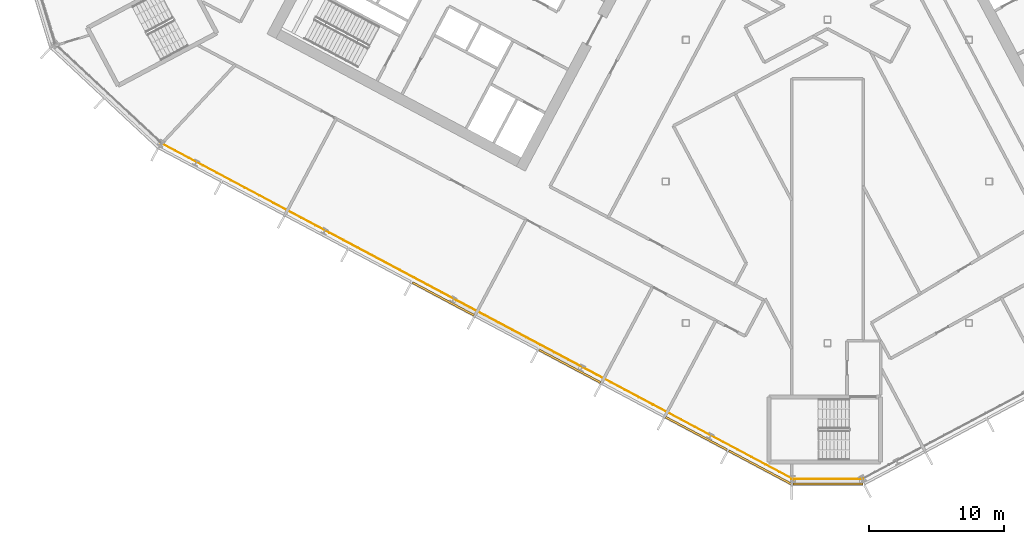
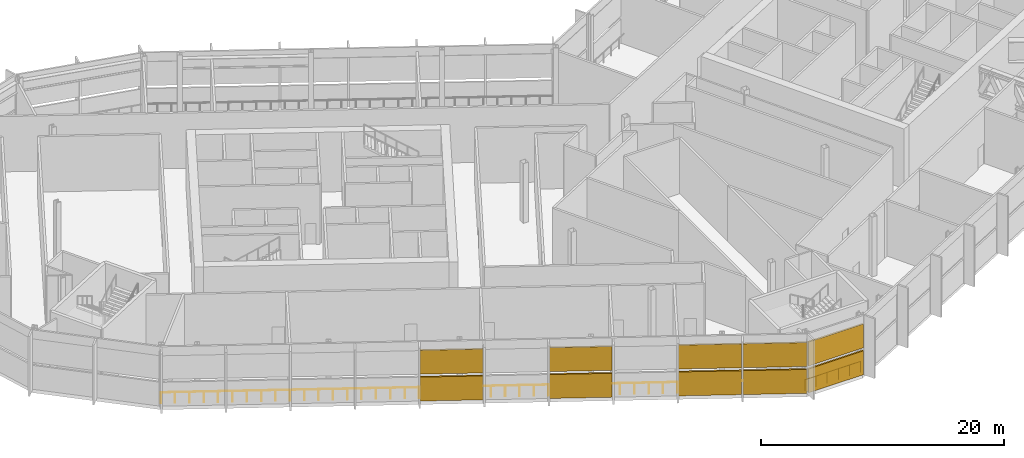
# One storey, part 21 of 33: 10 shading devices, 2 railings, 2 elements without a shape of their own.
"""IFC4 building model written with IfcOpenShell, lengths in metres."""

from ifc_helpers import new_model, si_unit, direction, frame, origin, origin_2d, place, context, subcontext, project, spatial, polyline, rectangle, outline, extrude, material, layer, layer_set, type_object, element, aggregate, save


model = new_model("IFC4")

# Units and contexts
model_context = context("Model", 3, precision=1e-05, world=origin(), true_north=direction((0.0, 1.0)))
body_context = subcontext(model_context, "Body", "Model", "MODEL_VIEW")
ifc_project = project(units=[si_unit("LENGTHUNIT", "METRE"), si_unit("AREAUNIT", "SQUARE_METRE"), si_unit("VOLUMEUNIT", "CUBIC_METRE"), si_unit("PLANEANGLEUNIT", "RADIAN"), si_unit("MASSUNIT", "GRAM", prefix="KILO")], contexts=[model_context])

# Site, building, storey
site_placement = place(None, origin())
site = spatial("IfcSite", under=ifc_project, at=site_placement, CompositionType="ELEMENT")
building_placement = place(site_placement, origin())
building = spatial("IfcBuilding", under=site, at=building_placement, Name="Cormorant Relay Tower", CompositionType="ELEMENT")
storey_placement = place(building_placement, frame((0.0, 0.0, 183.60009765625)))
storey = spatial("IfcBuildingStorey", under=building, at=storey_placement, Name="L39", CompositionType="ELEMENT", Elevation=183.60009765625)

# Railings
ifc_material_1 = material(Name="Stainless steel 316 guard", Category="steel")
railing_type = type_object("IfcRailingType", Name="Band louvre guard 1100", PredefinedType="GUARDRAIL", material=ifc_material_1)
railing_1_placement = place(storey_placement, frame((-2.648681640625, -22.07568359375, 0.0)))
element("IfcRailing", 1, at=railing_1_placement, inside=storey, type_object=railing_type, Name="CW4 guard 1", PredefinedType="GUARDRAIL", context=body_context, shape_type="SweptSolid", body=[
    extrude(outline(polyline([(0.022216796875, 0.00927734375), (0.00927734375, 0.022216796875), (-0.00927734375, 0.022216796875), (-0.022216796875, 0.00927734375), (-0.022216796875, -0.00927734375), (-0.00927734375, -0.022216796875), (0.00927734375, -0.022216796875), (0.022216796875, -0.00927734375), (0.022216796875, 0.00927734375)])), frame((0.0, 0.0, 1.076171875), z_axis=(1.0, 0.0, 0.0), x_axis=(0.0, 1.0, 0.0)), (0.0, 0.0, 1.0), 5.29736328125),
    extrude(outline(polyline([(0.019287109375, 0.008056640625), (0.008056640625, 0.019287109375), (-0.008056640625, 0.019287109375), (-0.019287109375, 0.008056640625), (-0.019287109375, -0.008056640625), (-0.008056640625, -0.019287109375), (0.008056640625, -0.019287109375), (0.019287109375, -0.008056640625), (0.019287109375, 0.008056640625)])), origin(), (0.0, 0.0, 1.0), 1.052001953125),
    extrude(outline(polyline([(0.019287109375, 0.008056640625), (0.008056640625, 0.019287109375), (-0.008056640625, 0.019287109375), (-0.019287109375, 0.008056640625), (-0.019287109375, -0.008056640625), (-0.008056640625, -0.019287109375), (0.008056640625, -0.019287109375), (0.019287109375, -0.008056640625), (0.019287109375, 0.008056640625)])), frame((1.0595703125, 0.0, 0.0)), (0.0, 0.0, 1.0), 1.052001953125),
    extrude(outline(polyline([(0.019287109375, 0.008056640625), (0.008056640625, 0.019287109375), (-0.008056640625, 0.019287109375), (-0.019287109375, 0.008056640625), (-0.019287109375, -0.008056640625), (-0.008056640625, -0.019287109375), (0.008056640625, -0.019287109375), (0.019287109375, -0.008056640625), (0.019287109375, 0.008056640625)])), frame((2.118896484375, 0.0, 0.0)), (0.0, 0.0, 1.0), 1.052001953125),
    extrude(outline(polyline([(0.019287109375, 0.008056640625), (0.008056640625, 0.019287109375), (-0.008056640625, 0.019287109375), (-0.019287109375, 0.008056640625), (-0.019287109375, -0.008056640625), (-0.008056640625, -0.019287109375), (0.008056640625, -0.019287109375), (0.019287109375, -0.008056640625), (0.019287109375, 0.008056640625)])), frame((3.178466796875, 0.0, 0.0)), (0.0, 0.0, 1.0), 1.052001953125),
    extrude(outline(polyline([(0.019287109375, 0.008056640625), (0.008056640625, 0.019287109375), (-0.008056640625, 0.019287109375), (-0.019287109375, 0.008056640625), (-0.019287109375, -0.008056640625), (-0.008056640625, -0.019287109375), (0.008056640625, -0.019287109375), (0.019287109375, -0.008056640625), (0.019287109375, 0.008056640625)])), frame((4.23779296875, 0.0, 0.0)), (0.0, 0.0, 1.0), 1.052001953125),
    extrude(outline(polyline([(0.019287109375, 0.008056640625), (0.008056640625, 0.019287109375), (-0.008056640625, 0.019287109375), (-0.019287109375, 0.008056640625), (-0.019287109375, -0.008056640625), (-0.008056640625, -0.019287109375), (0.008056640625, -0.019287109375), (0.019287109375, -0.008056640625), (0.019287109375, 0.008056640625)])), frame((5.29736328125, 0.0, 0.0)), (0.0, 0.0, 1.0), 1.052001953125),
])
railing_2_placement = place(storey_placement, frame((-49.45068359375, 2.84912109375, 0.0)))
element("IfcRailing", 2, at=railing_2_placement, inside=storey, type_object=railing_type, Name="CW4 guard 16", PredefinedType="GUARDRAIL", context=body_context, shape_type="SweptSolid", body=[
    extrude(outline(polyline([(0.022216796875, 0.00927734375), (0.00927734375, 0.022216796875), (-0.00927734375, 0.022216796875), (-0.022216796875, 0.00927734375), (-0.022216796875, -0.00927734375), (-0.00927734375, -0.022216796875), (0.00927734375, -0.022216796875), (0.022216796875, -0.00927734375), (0.022216796875, 0.00927734375)])), frame((0.0, 0.0, 1.076171875), z_axis=(0.88294853393, -0.469469792884, 0.0), x_axis=(0.469469792884, 0.88294853393, 0.0)), (0.0, 0.0, 1.0), 53.165771484375),
    extrude(outline(polyline([(0.019287109375, 0.008056640625), (0.008056640625, 0.019287109375), (-0.008056640625, 0.019287109375), (-0.019287109375, 0.008056640625), (-0.019287109375, -0.008056640625), (-0.008056640625, -0.019287109375), (0.008056640625, -0.019287109375), (0.019287109375, -0.008056640625), (0.019287109375, 0.008056640625)])), origin(), (0.0, 0.0, 1.0), 1.052001953125),
    extrude(outline(polyline([(0.019287109375, 0.008056640625), (0.008056640625, 0.019287109375), (-0.008056640625, 0.019287109375), (-0.019287109375, 0.008056640625), (-0.019287109375, -0.008056640625), (-0.008056640625, -0.019287109375), (0.008056640625, -0.019287109375), (0.019287109375, -0.008056640625), (0.019287109375, 0.008056640625)])), frame((1.043212890625, -0.5546875, 0.0)), (0.0, 0.0, 1.0), 1.052001953125),
    extrude(outline(polyline([(0.019287109375, 0.008056640625), (0.008056640625, 0.019287109375), (-0.008056640625, 0.019287109375), (-0.019287109375, 0.008056640625), (-0.019287109375, -0.008056640625), (-0.008056640625, -0.019287109375), (0.008056640625, -0.019287109375), (0.019287109375, -0.008056640625), (0.019287109375, 0.008056640625)])), frame((2.08642578125, -1.109375, 0.0)), (0.0, 0.0, 1.0), 1.052001953125),
    extrude(outline(polyline([(0.019287109375, 0.008056640625), (0.008056640625, 0.019287109375), (-0.008056640625, 0.019287109375), (-0.019287109375, 0.008056640625), (-0.019287109375, -0.008056640625), (-0.008056640625, -0.019287109375), (0.008056640625, -0.019287109375), (0.019287109375, -0.008056640625), (0.019287109375, 0.008056640625)])), frame((3.12939453125, -1.6640625, 0.0)), (0.0, 0.0, 1.0), 1.052001953125),
    extrude(outline(polyline([(0.019287109375, 0.008056640625), (0.008056640625, 0.019287109375), (-0.008056640625, 0.019287109375), (-0.019287109375, 0.008056640625), (-0.019287109375, -0.008056640625), (-0.008056640625, -0.019287109375), (0.008056640625, -0.019287109375), (0.019287109375, -0.008056640625), (0.019287109375, 0.008056640625)])), frame((4.172607421875, -2.21875, 0.0)), (0.0, 0.0, 1.0), 1.052001953125),
    extrude(outline(polyline([(0.019287109375, 0.008056640625), (0.008056640625, 0.019287109375), (-0.008056640625, 0.019287109375), (-0.019287109375, 0.008056640625), (-0.019287109375, -0.008056640625), (-0.008056640625, -0.019287109375), (0.008056640625, -0.019287109375), (0.019287109375, -0.008056640625), (0.019287109375, 0.008056640625)])), frame((5.2158203125, -2.773193359375, 0.0)), (0.0, 0.0, 1.0), 1.052001953125),
    extrude(outline(polyline([(0.019287109375, 0.008056640625), (0.008056640625, 0.019287109375), (-0.008056640625, 0.019287109375), (-0.019287109375, 0.008056640625), (-0.019287109375, -0.008056640625), (-0.008056640625, -0.019287109375), (0.008056640625, -0.019287109375), (0.019287109375, -0.008056640625), (0.019287109375, 0.008056640625)])), frame((6.259033203125, -3.327880859375, 0.0)), (0.0, 0.0, 1.0), 1.052001953125),
    extrude(outline(polyline([(0.019287109375, 0.008056640625), (0.008056640625, 0.019287109375), (-0.008056640625, 0.019287109375), (-0.019287109375, 0.008056640625), (-0.019287109375, -0.008056640625), (-0.008056640625, -0.019287109375), (0.008056640625, -0.019287109375), (0.019287109375, -0.008056640625), (0.019287109375, 0.008056640625)])), frame((7.30224609375, -3.882568359375, 0.0)), (0.0, 0.0, 1.0), 1.052001953125),
    extrude(outline(polyline([(0.019287109375, 0.008056640625), (0.008056640625, 0.019287109375), (-0.008056640625, 0.019287109375), (-0.019287109375, 0.008056640625), (-0.019287109375, -0.008056640625), (-0.008056640625, -0.019287109375), (0.008056640625, -0.019287109375), (0.019287109375, -0.008056640625), (0.019287109375, 0.008056640625)])), frame((8.345458984375, -4.437255859375, 0.0)), (0.0, 0.0, 1.0), 1.052001953125),
    extrude(outline(polyline([(0.019287109375, 0.008056640625), (0.008056640625, 0.019287109375), (-0.008056640625, 0.019287109375), (-0.019287109375, 0.008056640625), (-0.019287109375, -0.008056640625), (-0.008056640625, -0.019287109375), (0.008056640625, -0.019287109375), (0.019287109375, -0.008056640625), (0.019287109375, 0.008056640625)])), frame((9.388427734375, -4.991943359375, 0.0)), (0.0, 0.0, 1.0), 1.052001953125),
    extrude(outline(polyline([(0.019287109375, 0.008056640625), (0.008056640625, 0.019287109375), (-0.008056640625, 0.019287109375), (-0.019287109375, 0.008056640625), (-0.019287109375, -0.008056640625), (-0.008056640625, -0.019287109375), (0.008056640625, -0.019287109375), (0.019287109375, -0.008056640625), (0.019287109375, 0.008056640625)])), frame((10.431640625, -5.546630859375, 0.0)), (0.0, 0.0, 1.0), 1.052001953125),
    extrude(outline(polyline([(0.019287109375, 0.008056640625), (0.008056640625, 0.019287109375), (-0.008056640625, 0.019287109375), (-0.019287109375, 0.008056640625), (-0.019287109375, -0.008056640625), (-0.008056640625, -0.019287109375), (0.008056640625, -0.019287109375), (0.019287109375, -0.008056640625), (0.019287109375, 0.008056640625)])), frame((11.474853515625, -6.101318359375, 0.0)), (0.0, 0.0, 1.0), 1.052001953125),
    extrude(outline(polyline([(0.019287109375, 0.008056640625), (0.008056640625, 0.019287109375), (-0.008056640625, 0.019287109375), (-0.019287109375, 0.008056640625), (-0.019287109375, -0.008056640625), (-0.008056640625, -0.019287109375), (0.008056640625, -0.019287109375), (0.019287109375, -0.008056640625), (0.019287109375, 0.008056640625)])), frame((12.51806640625, -6.656005859375, 0.0)), (0.0, 0.0, 1.0), 1.052001953125),
    extrude(outline(polyline([(0.019287109375, 0.008056640625), (0.008056640625, 0.019287109375), (-0.008056640625, 0.019287109375), (-0.019287109375, 0.008056640625), (-0.019287109375, -0.008056640625), (-0.008056640625, -0.019287109375), (0.008056640625, -0.019287109375), (0.019287109375, -0.008056640625), (0.019287109375, 0.008056640625)])), frame((13.561279296875, -7.210693359375, 0.0)), (0.0, 0.0, 1.0), 1.052001953125),
    extrude(outline(polyline([(0.019287109375, 0.008056640625), (0.008056640625, 0.019287109375), (-0.008056640625, 0.019287109375), (-0.019287109375, 0.008056640625), (-0.019287109375, -0.008056640625), (-0.008056640625, -0.019287109375), (0.008056640625, -0.019287109375), (0.019287109375, -0.008056640625), (0.019287109375, 0.008056640625)])), frame((14.6044921875, -7.76513671875, 0.0)), (0.0, 0.0, 1.0), 1.052001953125),
    extrude(outline(polyline([(0.019287109375, 0.008056640625), (0.008056640625, 0.019287109375), (-0.008056640625, 0.019287109375), (-0.019287109375, 0.008056640625), (-0.019287109375, -0.008056640625), (-0.008056640625, -0.019287109375), (0.008056640625, -0.019287109375), (0.019287109375, -0.008056640625), (0.019287109375, 0.008056640625)])), frame((15.6474609375, -8.31982421875, 0.0)), (0.0, 0.0, 1.0), 1.052001953125),
    extrude(outline(polyline([(0.019287109375, 0.008056640625), (0.008056640625, 0.019287109375), (-0.008056640625, 0.019287109375), (-0.019287109375, 0.008056640625), (-0.019287109375, -0.008056640625), (-0.008056640625, -0.019287109375), (0.008056640625, -0.019287109375), (0.019287109375, -0.008056640625), (0.019287109375, 0.008056640625)])), frame((16.690673828125, -8.87451171875, 0.0)), (0.0, 0.0, 1.0), 1.052001953125),
    extrude(outline(polyline([(0.019287109375, 0.008056640625), (0.008056640625, 0.019287109375), (-0.008056640625, 0.019287109375), (-0.019287109375, 0.008056640625), (-0.019287109375, -0.008056640625), (-0.008056640625, -0.019287109375), (0.008056640625, -0.019287109375), (0.019287109375, -0.008056640625), (0.019287109375, 0.008056640625)])), frame((17.73388671875, -9.42919921875, 0.0)), (0.0, 0.0, 1.0), 1.052001953125),
    extrude(outline(polyline([(0.019287109375, 0.008056640625), (0.008056640625, 0.019287109375), (-0.008056640625, 0.019287109375), (-0.019287109375, 0.008056640625), (-0.019287109375, -0.008056640625), (-0.008056640625, -0.019287109375), (0.008056640625, -0.019287109375), (0.019287109375, -0.008056640625), (0.019287109375, 0.008056640625)])), frame((18.777099609375, -9.98388671875, 0.0)), (0.0, 0.0, 1.0), 1.052001953125),
    extrude(outline(polyline([(0.019287109375, 0.008056640625), (0.008056640625, 0.019287109375), (-0.008056640625, 0.019287109375), (-0.019287109375, 0.008056640625), (-0.019287109375, -0.008056640625), (-0.008056640625, -0.019287109375), (0.008056640625, -0.019287109375), (0.019287109375, -0.008056640625), (0.019287109375, 0.008056640625)])), frame((19.8203125, -10.53857421875, 0.0)), (0.0, 0.0, 1.0), 1.052001953125),
    extrude(outline(polyline([(0.019287109375, 0.008056640625), (0.008056640625, 0.019287109375), (-0.008056640625, 0.019287109375), (-0.019287109375, 0.008056640625), (-0.019287109375, -0.008056640625), (-0.008056640625, -0.019287109375), (0.008056640625, -0.019287109375), (0.019287109375, -0.008056640625), (0.019287109375, 0.008056640625)])), frame((20.86328125, -11.09326171875, 0.0)), (0.0, 0.0, 1.0), 1.052001953125),
    extrude(outline(polyline([(0.019287109375, 0.008056640625), (0.008056640625, 0.019287109375), (-0.008056640625, 0.019287109375), (-0.019287109375, 0.008056640625), (-0.019287109375, -0.008056640625), (-0.008056640625, -0.019287109375), (0.008056640625, -0.019287109375), (0.019287109375, -0.008056640625), (0.019287109375, 0.008056640625)])), frame((21.906494140625, -11.64794921875, 0.0)), (0.0, 0.0, 1.0), 1.052001953125),
    extrude(outline(polyline([(0.019287109375, 0.008056640625), (0.008056640625, 0.019287109375), (-0.008056640625, 0.019287109375), (-0.019287109375, 0.008056640625), (-0.019287109375, -0.008056640625), (-0.008056640625, -0.019287109375), (0.008056640625, -0.019287109375), (0.019287109375, -0.008056640625), (0.019287109375, 0.008056640625)])), frame((22.94970703125, -12.20263671875, 0.0)), (0.0, 0.0, 1.0), 1.052001953125),
    extrude(outline(polyline([(0.019287109375, 0.008056640625), (0.008056640625, 0.019287109375), (-0.008056640625, 0.019287109375), (-0.019287109375, 0.008056640625), (-0.019287109375, -0.008056640625), (-0.008056640625, -0.019287109375), (0.008056640625, -0.019287109375), (0.019287109375, -0.008056640625), (0.019287109375, 0.008056640625)])), frame((23.992919921875, -12.757080078125, 0.0)), (0.0, 0.0, 1.0), 1.052001953125),
    extrude(outline(polyline([(0.019287109375, 0.008056640625), (0.008056640625, 0.019287109375), (-0.008056640625, 0.019287109375), (-0.019287109375, 0.008056640625), (-0.019287109375, -0.008056640625), (-0.008056640625, -0.019287109375), (0.008056640625, -0.019287109375), (0.019287109375, -0.008056640625), (0.019287109375, 0.008056640625)])), frame((25.0361328125, -13.311767578125, 0.0)), (0.0, 0.0, 1.0), 1.052001953125),
    extrude(outline(polyline([(0.019287109375, 0.008056640625), (0.008056640625, 0.019287109375), (-0.008056640625, 0.019287109375), (-0.019287109375, 0.008056640625), (-0.019287109375, -0.008056640625), (-0.008056640625, -0.019287109375), (0.008056640625, -0.019287109375), (0.019287109375, -0.008056640625), (0.019287109375, 0.008056640625)])), frame((26.079345703125, -13.866455078125, 0.0)), (0.0, 0.0, 1.0), 1.052001953125),
    extrude(outline(polyline([(0.019287109375, 0.008056640625), (0.008056640625, 0.019287109375), (-0.008056640625, 0.019287109375), (-0.019287109375, 0.008056640625), (-0.019287109375, -0.008056640625), (-0.008056640625, -0.019287109375), (0.008056640625, -0.019287109375), (0.019287109375, -0.008056640625), (0.019287109375, 0.008056640625)])), frame((27.122314453125, -14.421142578125, 0.0)), (0.0, 0.0, 1.0), 1.052001953125),
    extrude(outline(polyline([(0.019287109375, 0.008056640625), (0.008056640625, 0.019287109375), (-0.008056640625, 0.019287109375), (-0.019287109375, 0.008056640625), (-0.019287109375, -0.008056640625), (-0.008056640625, -0.019287109375), (0.008056640625, -0.019287109375), (0.019287109375, -0.008056640625), (0.019287109375, 0.008056640625)])), frame((28.16552734375, -14.975830078125, 0.0)), (0.0, 0.0, 1.0), 1.052001953125),
    extrude(outline(polyline([(0.019287109375, 0.008056640625), (0.008056640625, 0.019287109375), (-0.008056640625, 0.019287109375), (-0.019287109375, 0.008056640625), (-0.019287109375, -0.008056640625), (-0.008056640625, -0.019287109375), (0.008056640625, -0.019287109375), (0.019287109375, -0.008056640625), (0.019287109375, 0.008056640625)])), frame((29.208740234375, -15.530517578125, 0.0)), (0.0, 0.0, 1.0), 1.052001953125),
    extrude(outline(polyline([(0.019287109375, 0.008056640625), (0.008056640625, 0.019287109375), (-0.008056640625, 0.019287109375), (-0.019287109375, 0.008056640625), (-0.019287109375, -0.008056640625), (-0.008056640625, -0.019287109375), (0.008056640625, -0.019287109375), (0.019287109375, -0.008056640625), (0.019287109375, 0.008056640625)])), frame((30.251953125, -16.085205078125, 0.0)), (0.0, 0.0, 1.0), 1.052001953125),
    extrude(outline(polyline([(0.019287109375, 0.008056640625), (0.008056640625, 0.019287109375), (-0.008056640625, 0.019287109375), (-0.019287109375, 0.008056640625), (-0.019287109375, -0.008056640625), (-0.008056640625, -0.019287109375), (0.008056640625, -0.019287109375), (0.019287109375, -0.008056640625), (0.019287109375, 0.008056640625)])), frame((31.295166015625, -16.639892578125, 0.0)), (0.0, 0.0, 1.0), 1.052001953125),
    extrude(outline(polyline([(0.019287109375, 0.008056640625), (0.008056640625, 0.019287109375), (-0.008056640625, 0.019287109375), (-0.019287109375, 0.008056640625), (-0.019287109375, -0.008056640625), (-0.008056640625, -0.019287109375), (0.008056640625, -0.019287109375), (0.019287109375, -0.008056640625), (0.019287109375, 0.008056640625)])), frame((32.338134765625, -17.194580078125, 0.0)), (0.0, 0.0, 1.0), 1.052001953125),
    extrude(outline(polyline([(0.019287109375, 0.008056640625), (0.008056640625, 0.019287109375), (-0.008056640625, 0.019287109375), (-0.019287109375, 0.008056640625), (-0.019287109375, -0.008056640625), (-0.008056640625, -0.019287109375), (0.008056640625, -0.019287109375), (0.019287109375, -0.008056640625), (0.019287109375, 0.008056640625)])), frame((33.38134765625, -17.7490234375, 0.0)), (0.0, 0.0, 1.0), 1.052001953125),
    extrude(outline(polyline([(0.019287109375, 0.008056640625), (0.008056640625, 0.019287109375), (-0.008056640625, 0.019287109375), (-0.019287109375, 0.008056640625), (-0.019287109375, -0.008056640625), (-0.008056640625, -0.019287109375), (0.008056640625, -0.019287109375), (0.019287109375, -0.008056640625), (0.019287109375, 0.008056640625)])), frame((34.424560546875, -18.3037109375, 0.0)), (0.0, 0.0, 1.0), 1.052001953125),
    extrude(outline(polyline([(0.019287109375, 0.008056640625), (0.008056640625, 0.019287109375), (-0.008056640625, 0.019287109375), (-0.019287109375, 0.008056640625), (-0.019287109375, -0.008056640625), (-0.008056640625, -0.019287109375), (0.008056640625, -0.019287109375), (0.019287109375, -0.008056640625), (0.019287109375, 0.008056640625)])), frame((35.4677734375, -18.8583984375, 0.0)), (0.0, 0.0, 1.0), 1.052001953125),
    extrude(outline(polyline([(0.019287109375, 0.008056640625), (0.008056640625, 0.019287109375), (-0.008056640625, 0.019287109375), (-0.019287109375, 0.008056640625), (-0.019287109375, -0.008056640625), (-0.008056640625, -0.019287109375), (0.008056640625, -0.019287109375), (0.019287109375, -0.008056640625), (0.019287109375, 0.008056640625)])), frame((36.510986328125, -19.4130859375, 0.0)), (0.0, 0.0, 1.0), 1.052001953125),
    extrude(outline(polyline([(0.019287109375, 0.008056640625), (0.008056640625, 0.019287109375), (-0.008056640625, 0.019287109375), (-0.019287109375, 0.008056640625), (-0.019287109375, -0.008056640625), (-0.008056640625, -0.019287109375), (0.008056640625, -0.019287109375), (0.019287109375, -0.008056640625), (0.019287109375, 0.008056640625)])), frame((37.55419921875, -19.9677734375, 0.0)), (0.0, 0.0, 1.0), 1.052001953125),
    extrude(outline(polyline([(0.019287109375, 0.008056640625), (0.008056640625, 0.019287109375), (-0.008056640625, 0.019287109375), (-0.019287109375, 0.008056640625), (-0.019287109375, -0.008056640625), (-0.008056640625, -0.019287109375), (0.008056640625, -0.019287109375), (0.019287109375, -0.008056640625), (0.019287109375, 0.008056640625)])), frame((38.59716796875, -20.5224609375, 0.0)), (0.0, 0.0, 1.0), 1.052001953125),
    extrude(outline(polyline([(0.019287109375, 0.008056640625), (0.008056640625, 0.019287109375), (-0.008056640625, 0.019287109375), (-0.019287109375, 0.008056640625), (-0.019287109375, -0.008056640625), (-0.008056640625, -0.019287109375), (0.008056640625, -0.019287109375), (0.019287109375, -0.008056640625), (0.019287109375, 0.008056640625)])), frame((39.640380859375, -21.0771484375, 0.0)), (0.0, 0.0, 1.0), 1.052001953125),
    extrude(outline(polyline([(0.019287109375, 0.008056640625), (0.008056640625, 0.019287109375), (-0.008056640625, 0.019287109375), (-0.019287109375, 0.008056640625), (-0.019287109375, -0.008056640625), (-0.008056640625, -0.019287109375), (0.008056640625, -0.019287109375), (0.019287109375, -0.008056640625), (0.019287109375, 0.008056640625)])), frame((40.68359375, -21.6318359375, 0.0)), (0.0, 0.0, 1.0), 1.052001953125),
    extrude(outline(polyline([(0.019287109375, 0.008056640625), (0.008056640625, 0.019287109375), (-0.008056640625, 0.019287109375), (-0.019287109375, 0.008056640625), (-0.019287109375, -0.008056640625), (-0.008056640625, -0.019287109375), (0.008056640625, -0.019287109375), (0.019287109375, -0.008056640625), (0.019287109375, 0.008056640625)])), frame((41.726806640625, -22.1865234375, 0.0)), (0.0, 0.0, 1.0), 1.052001953125),
    extrude(outline(polyline([(0.019287109375, 0.008056640625), (0.008056640625, 0.019287109375), (-0.008056640625, 0.019287109375), (-0.019287109375, 0.008056640625), (-0.019287109375, -0.008056640625), (-0.008056640625, -0.019287109375), (0.008056640625, -0.019287109375), (0.019287109375, -0.008056640625), (0.019287109375, 0.008056640625)])), frame((42.77001953125, -22.740966796875, 0.0)), (0.0, 0.0, 1.0), 1.052001953125),
    extrude(outline(polyline([(0.019287109375, 0.008056640625), (0.008056640625, 0.019287109375), (-0.008056640625, 0.019287109375), (-0.019287109375, 0.008056640625), (-0.019287109375, -0.008056640625), (-0.008056640625, -0.019287109375), (0.008056640625, -0.019287109375), (0.019287109375, -0.008056640625), (0.019287109375, 0.008056640625)])), frame((43.813232421875, -23.295654296875, 0.0)), (0.0, 0.0, 1.0), 1.052001953125),
    extrude(outline(polyline([(0.019287109375, 0.008056640625), (0.008056640625, 0.019287109375), (-0.008056640625, 0.019287109375), (-0.019287109375, 0.008056640625), (-0.019287109375, -0.008056640625), (-0.008056640625, -0.019287109375), (0.008056640625, -0.019287109375), (0.019287109375, -0.008056640625), (0.019287109375, 0.008056640625)])), frame((44.856201171875, -23.850341796875, 0.0)), (0.0, 0.0, 1.0), 1.052001953125),
    extrude(outline(polyline([(0.019287109375, 0.008056640625), (0.008056640625, 0.019287109375), (-0.008056640625, 0.019287109375), (-0.019287109375, 0.008056640625), (-0.019287109375, -0.008056640625), (-0.008056640625, -0.019287109375), (0.008056640625, -0.019287109375), (0.019287109375, -0.008056640625), (0.019287109375, 0.008056640625)])), frame((45.8994140625, -24.405029296875, 0.0)), (0.0, 0.0, 1.0), 1.052001953125),
    extrude(outline(polyline([(0.019287109375, 0.008056640625), (0.008056640625, 0.019287109375), (-0.008056640625, 0.019287109375), (-0.019287109375, 0.008056640625), (-0.019287109375, -0.008056640625), (-0.008056640625, -0.019287109375), (0.008056640625, -0.019287109375), (0.019287109375, -0.008056640625), (0.019287109375, 0.008056640625)])), frame((46.942626953125, -24.959716796875, 0.0)), (0.0, 0.0, 1.0), 1.052001953125),
])

# Curtain wall, shading devices
ifc_material_2 = material(Name="Aluminium 6063-T6 anodised bronze", Category="aluminium")
ifc_layer = layer(ifc_material_2, 0.199951171875)
ifc_layer_set = layer_set([ifc_layer], Name="CW4 band louvre wall")
curtain_wall_type = type_object("IfcCurtainWallType", Name="CW4 band louvre wall", PredefinedType="NOTDEFINED", material=ifc_layer_set)
curtain_wall_1_placement = place(storey_placement, origin())
curtain_wall_1 = element("IfcCurtainWall", 3, at=curtain_wall_1_placement, inside=storey, type_object=curtain_wall_type, Name="CW4 curtain wall 1", PredefinedType="NOTDEFINED")
ifc_material_3 = material(Name="Aluminium 6063-T6 anodised bronze louvre", Category="aluminium")
shading_device_type = type_object("IfcShadingDeviceType", Name="CW4 bronze louvre bank 150 x 2400", PredefinedType="USERDEFINED", material=ifc_material_3)
shading_device_1_placement = place(storey_placement, frame((0.03759765625, -22.45068359375, 2.699951171875), z_axis=(0.0, 0.0, 1.0), x_axis=(1.0, 0.0, 0.0)))
shading_device_1 = element("IfcShadingDevice", 4, at=shading_device_1_placement, type_object=shading_device_type, Name="CW4 louvre bank U1.1", ObjectType="LOUVRE", PredefinedType="USERDEFINED", context=body_context, shape_type="SweptSolid", body=[
    extrude(rectangle(XDim=5.22265625, YDim=0.14990234375, at=origin_2d()), origin(), (0.0, 0.0, 1.0), 2.39990234375),
])
shading_device_2_placement = place(storey_placement, frame((0.03759765625, -22.45068359375, 0.0), z_axis=(0.0, 0.0, 1.0), x_axis=(1.0, 0.0, 0.0)))
shading_device_2 = element("IfcShadingDevice", 5, at=shading_device_2_placement, type_object=shading_device_type, Name="CW4 louvre bank D1.1", ObjectType="LOUVRE", PredefinedType="USERDEFINED", context=body_context, shape_type="SweptSolid", body=[
    extrude(rectangle(XDim=5.22265625, YDim=0.14990234375, at=origin_2d()), origin(), (0.0, 0.0, 1.0), 2.39990234375),
])
aggregate(curtain_wall_1, [shading_device_1, shading_device_2])

curtain_wall_2_placement = place(storey_placement, origin())
curtain_wall_2 = element("IfcCurtainWall", 6, at=curtain_wall_2_placement, inside=storey, type_object=curtain_wall_type, Name="CW4 curtain wall 16", PredefinedType="NOTDEFINED")
shading_device_3_placement = place(storey_placement, frame((-28.50244140625, -8.7138671875, 2.699951171875), z_axis=(0.0, 0.0, 1.0), x_axis=(0.882947592859, -0.469471562786, 0.0)))
shading_device_3 = element("IfcShadingDevice", 7, at=shading_device_3_placement, type_object=shading_device_type, Name="CW4 louvre bank U16.5", ObjectType="LOUVRE", PredefinedType="USERDEFINED", context=body_context, shape_type="SweptSolid", body=[
    extrude(rectangle(XDim=5.16650390625, YDim=0.14990234375, at=origin_2d()), origin(), (0.0, 0.0, 1.0), 2.39990234375),
])
shading_device_4_placement = place(storey_placement, frame((-28.50244140625, -8.7138671875, 0.0), z_axis=(0.0, 0.0, 1.0), x_axis=(0.882947592859, -0.469471562786, 0.0)))
shading_device_4 = element("IfcShadingDevice", 8, at=shading_device_4_placement, type_object=shading_device_type, Name="CW4 louvre bank D16.5", ObjectType="LOUVRE", PredefinedType="USERDEFINED", context=body_context, shape_type="SweptSolid", body=[
    extrude(rectangle(XDim=5.16650390625, YDim=0.14990234375, at=origin_2d()), origin(), (0.0, 0.0, 1.0), 2.39990234375),
])
shading_device_5_placement = place(storey_placement, frame((-19.114013671875, -13.705810546875, 2.699951171875), z_axis=(0.0, 0.0, 1.0), x_axis=(0.882947592859, -0.469471562786, 0.0)))
shading_device_5 = element("IfcShadingDevice", 9, at=shading_device_5_placement, type_object=shading_device_type, Name="CW4 louvre bank U16.7", ObjectType="LOUVRE", PredefinedType="USERDEFINED", context=body_context, shape_type="SweptSolid", body=[
    extrude(rectangle(XDim=5.16650390625, YDim=0.14990234375, at=origin_2d()), origin(), (0.0, 0.0, 1.0), 2.39990234375),
])
shading_device_6_placement = place(storey_placement, frame((-19.114013671875, -13.705810546875, 0.0), z_axis=(0.0, 0.0, 1.0), x_axis=(0.882947592859, -0.469471562786, 0.0)))
shading_device_6 = element("IfcShadingDevice", 10, at=shading_device_6_placement, type_object=shading_device_type, Name="CW4 louvre bank D16.7", ObjectType="LOUVRE", PredefinedType="USERDEFINED", context=body_context, shape_type="SweptSolid", body=[
    extrude(rectangle(XDim=5.16650390625, YDim=0.14990234375, at=origin_2d()), origin(), (0.0, 0.0, 1.0), 2.39990234375),
])
shading_device_7_placement = place(storey_placement, frame((-9.7255859375, -18.69775390625, 2.699951171875), z_axis=(0.0, 0.0, 1.0), x_axis=(0.882947592859, -0.469471562786, 0.0)))
shading_device_7 = element("IfcShadingDevice", 11, at=shading_device_7_placement, type_object=shading_device_type, Name="CW4 louvre bank U16.9", ObjectType="LOUVRE", PredefinedType="USERDEFINED", context=body_context, shape_type="SweptSolid", body=[
    extrude(rectangle(XDim=5.16650390625, YDim=0.14990234375, at=origin_2d()), origin(), (0.0, 0.0, 1.0), 2.39990234375),
])
shading_device_8_placement = place(storey_placement, frame((-9.7255859375, -18.69775390625, 0.0), z_axis=(0.0, 0.0, 1.0), x_axis=(0.882947592859, -0.469471562786, 0.0)))
shading_device_8 = element("IfcShadingDevice", 12, at=shading_device_8_placement, type_object=shading_device_type, Name="CW4 louvre bank D16.9", ObjectType="LOUVRE", PredefinedType="USERDEFINED", context=body_context, shape_type="SweptSolid", body=[
    extrude(rectangle(XDim=5.16650390625, YDim=0.14990234375, at=origin_2d()), origin(), (0.0, 0.0, 1.0), 2.39990234375),
])
shading_device_9_placement = place(storey_placement, frame((-4.998046875, -21.21142578125, 2.699951171875), z_axis=(0.0, 0.0, 1.0), x_axis=(0.882947592859, -0.469471562786, 0.0)))
shading_device_9 = element("IfcShadingDevice", 13, at=shading_device_9_placement, type_object=shading_device_type, Name="CW4 louvre bank U16.10", ObjectType="LOUVRE", PredefinedType="USERDEFINED", context=body_context, shape_type="SweptSolid", body=[
    extrude(rectangle(XDim=5.24169921875, YDim=0.14990234375, at=origin_2d()), origin(), (0.0, 0.0, 1.0), 2.39990234375),
])
shading_device_10_placement = place(storey_placement, frame((-4.998046875, -21.21142578125, 0.0), z_axis=(0.0, 0.0, 1.0), x_axis=(0.882947592859, -0.469471562786, 0.0)))
shading_device_10 = element("IfcShadingDevice", 14, at=shading_device_10_placement, type_object=shading_device_type, Name="CW4 louvre bank D16.10", ObjectType="LOUVRE", PredefinedType="USERDEFINED", context=body_context, shape_type="SweptSolid", body=[
    extrude(rectangle(XDim=5.24169921875, YDim=0.14990234375, at=origin_2d()), origin(), (0.0, 0.0, 1.0), 2.39990234375),
])
aggregate(curtain_wall_2, [shading_device_3, shading_device_4, shading_device_5, shading_device_6, shading_device_7, shading_device_8, shading_device_9, shading_device_10])

save(model, "model.ifc")
